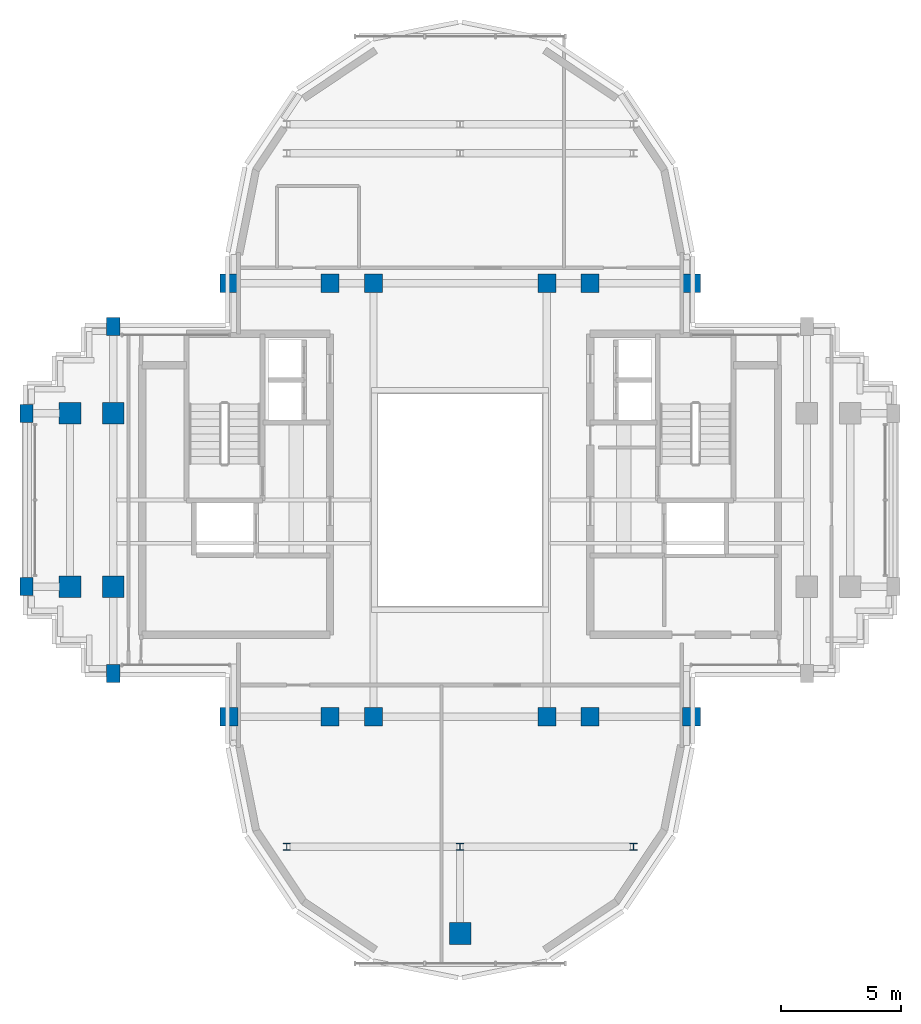
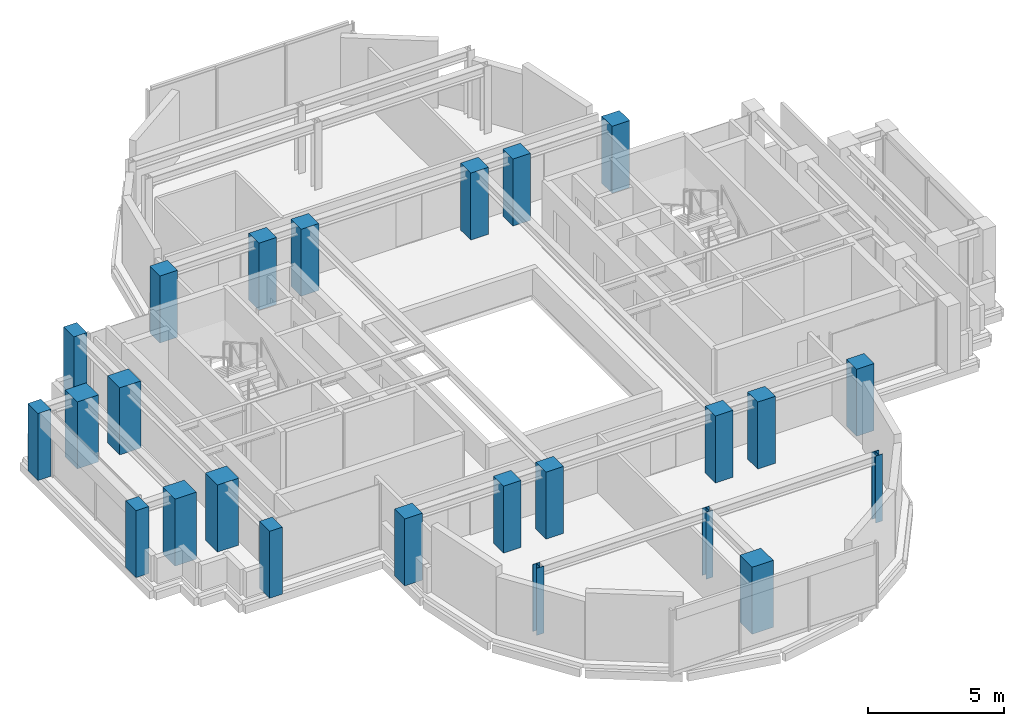
# One storey, part 1 of 12: 24 columns.
"""IFC4 building model written with IfcOpenShell, lengths in metres."""

from ifc_helpers import new_model, si_unit, direction, frame, origin, origin_2d, place, context, subcontext, project, spatial, rectangle, i_section, extrude, source, transform, mapped, material, material_profile, profile_set, type_object, element, save


model = new_model("IFC4")

# Units and contexts
model_context = context("Model", 3, precision=1e-05, world=origin(), true_north=direction((0.0, 1.0)))
body_context = subcontext(model_context, "Body", "Model", "MODEL_VIEW")
ifc_project = project(units=[si_unit("LENGTHUNIT", "METRE"), si_unit("AREAUNIT", "SQUARE_METRE"), si_unit("VOLUMEUNIT", "CUBIC_METRE"), si_unit("PLANEANGLEUNIT", "RADIAN"), si_unit("MASSUNIT", "GRAM", prefix="KILO")], contexts=[model_context])

# Site, building, storey
site_placement = place(None, origin())
site = spatial("IfcSite", under=ifc_project, at=site_placement, CompositionType="ELEMENT")
building_placement = place(site_placement, origin())
building = spatial("IfcBuilding", under=site, at=building_placement, Name="Keilestroom Media Tower", CompositionType="ELEMENT")
storey_placement = place(building_placement, frame((0.0, 0.0, 236.39990234375)))
storey = spatial("IfcBuildingStorey", under=building, at=storey_placement, Name="L65", CompositionType="ELEMENT", Elevation=236.39990234375)

# Columns
ifc_material_1 = material(Name="Precast concrete C40/50", Category="concrete")
ifc_material_profile_1 = material_profile(ifc_material_1, rectangle(XDim=0.550048828125, YDim=0.75, at=origin_2d()), Name="PC 750x550")
ifc_profile_set_1 = profile_set([ifc_material_profile_1], Name="Precast concrete C40/50")
column_type_1 = type_object("IfcColumnType", Name="Structural-Column-PC-750x550", PredefinedType="COLUMN", material=ifc_profile_set_1)
shared_shape_1 = source(origin(), body_context, "Body", "SweptSolid", [
    extrude(rectangle(XDim=0.550048828125, YDim=0.75, at=origin_2d()), origin(), (0.0, 0.0, 1.0), 3.010009765625),
])
for number, where, z_axis, x_axis, name in (
    (1, (-18.0, -3.60009765625, 0.0), (0.0, 0.0, 1.0), (1.0, 0.0, 0.0), "L65 Column PC-3 (-18.0,-3.6)"),
    (2, (-18.0, 3.60009765625, 0.0), (0.0, 0.0, 1.0), (1.0, 0.0, 0.0), "L65 Column PC-3 (-18.0,+3.6)"),
    (3, (-14.39990234375, -7.199951171875, 0.0), (0.0, 0.0, 1.0), (1.0, 0.0, 0.0), "L65 Column PC-3 (-14.4,-7.2)"),
    (4, (-14.39990234375, 7.199951171875, 0.0), (0.0, 0.0, 1.0), (1.0, 0.0, 0.0), "L65 Column PC-3 (-14.4,+7.2)"),
):
    element("IfcColumn", number, at=place(storey_placement, frame(where, z_axis=z_axis, x_axis=x_axis)), inside=storey, type_object=column_type_1, Name=name, PredefinedType="COLUMN", context=body_context, shape_type="MappedRepresentation", body=[
        mapped(shared_shape_1, transform((0.0, 0.0, 0.0), x_axis=(1.0, 0.0, 0.0), y_axis=(0.0, 1.0, 0.0), z_axis=(0.0, 0.0, 1.0), scale=1.0)),
    ])
ifc_material_2 = material(Name="Concrete C55/67", Category="concrete")
ifc_material_profile_2 = material_profile(ifc_material_2, rectangle(XDim=0.89990234375, YDim=0.89990234375, at=origin_2d()), Name="RC 900x900")
ifc_profile_set_2 = profile_set([ifc_material_profile_2], Name="Concrete C55/67")
column_type_2 = type_object("IfcColumnType", Name="Structural-Column-RC-900x900", PredefinedType="COLUMN", material=ifc_profile_set_2)
shared_shape_2 = source(origin(), body_context, "Body", "SweptSolid", [
    extrude(rectangle(XDim=0.89990234375, YDim=0.89990234375, at=origin_2d()), origin(), (0.0, 0.0, 1.0), 3.010009765625),
])
for number, where, z_axis, x_axis, name in (
    (5, (-16.199951171875, -3.60009765625, 0.0), (0.0, 0.0, 1.0), (1.0, 0.0, 0.0), "L65 Column MC-4 (-16.2,-3.6)"),
    (6, (-16.199951171875, 3.60009765625, 0.0), (0.0, 0.0, 1.0), (1.0, 0.0, 0.0), "L65 Column MC-4 (-16.2,+3.6)"),
    (7, (-14.39990234375, -3.60009765625, 0.0), (0.0, 0.0, 1.0), (1.0, 0.0, 0.0), "L65 Column MC-4 (-14.4,-3.6)"),
    (8, (-14.39990234375, 3.60009765625, 0.0), (0.0, 0.0, 1.0), (1.0, 0.0, 0.0), "L65 Column MC-4 (-14.4,+3.6)"),
    (9, (0.0, -18.0, 0.0), (0.0, 0.0, 1.0), (1.0, 0.0, 0.0), "L65 Column MC-4 (+0.0,-18.0)"),
):
    element("IfcColumn", number, at=place(storey_placement, frame(where, z_axis=z_axis, x_axis=x_axis)), inside=storey, type_object=column_type_2, Name=name, PredefinedType="COLUMN", context=body_context, shape_type="MappedRepresentation", body=[
        mapped(shared_shape_2, transform((0.0, 0.0, 0.0), x_axis=(1.0, 0.0, 0.0), y_axis=(0.0, 1.0, 0.0), z_axis=(0.0, 0.0, 1.0), scale=1.0)),
    ])
ifc_material_3 = material(Name="Concrete C50/60", Category="concrete")
ifc_material_profile_3 = material_profile(ifc_material_3, rectangle(XDim=0.75, YDim=0.75, at=origin_2d()), Name="RC 750x750")
ifc_profile_set_3 = profile_set([ifc_material_profile_3], Name="Concrete C50/60")
column_type_3 = type_object("IfcColumnType", Name="Structural-Column-RC-750x750", PredefinedType="COLUMN", material=ifc_profile_set_3)
shared_shape_3 = source(origin(), body_context, "Body", "SweptSolid", [
    extrude(rectangle(XDim=0.75, YDim=0.75, at=origin_2d()), origin(), (0.0, 0.0, 1.0), 3.010009765625),
])
for number, where, z_axis, x_axis, name in (
    (10, (-9.60009765625, -9.0, 0.0), (0.0, 0.0, 1.0), (1.0, 0.0, 0.0), "L65 Column MC-5 (-9.6,-9.0)"),
    (11, (-9.60009765625, 9.0, 0.0), (0.0, 0.0, 1.0), (1.0, 0.0, 0.0), "L65 Column MC-5 (-9.6,+9.0)"),
    (12, (-5.39990234375, -9.0, 0.0), (0.0, 0.0, 1.0), (1.0, 0.0, 0.0), "L65 Column MC-5 (-5.4,-9.0)"),
    (13, (-5.39990234375, 9.0, 0.0), (0.0, 0.0, 1.0), (1.0, 0.0, 0.0), "L65 Column MC-5 (-5.4,+9.0)"),
    (14, (-3.60009765625, -9.0, 0.0), (0.0, 0.0, 1.0), (1.0, 0.0, 0.0), "L65 Column MC-5 (-3.6,-9.0)"),
    (15, (-3.60009765625, 9.0, 0.0), (0.0, 0.0, 1.0), (1.0, 0.0, 0.0), "L65 Column MC-5 (-3.6,+9.0)"),
    (16, (3.60009765625, -9.0, 0.0), (0.0, 0.0, 1.0), (1.0, 0.0, 0.0), "L65 Column MC-5 (+3.6,-9.0)"),
    (17, (3.60009765625, 9.0, 0.0), (0.0, 0.0, 1.0), (1.0, 0.0, 0.0), "L65 Column MC-5 (+3.6,+9.0)"),
    (18, (5.39990234375, -9.0, 0.0), (0.0, 0.0, 1.0), (1.0, 0.0, 0.0), "L65 Column MC-5 (+5.4,-9.0)"),
    (19, (5.39990234375, 9.0, 0.0), (0.0, 0.0, 1.0), (1.0, 0.0, 0.0), "L65 Column MC-5 (+5.4,+9.0)"),
    (20, (9.60009765625, -9.0, 0.0), (0.0, 0.0, 1.0), (1.0, 0.0, 0.0), "L65 Column MC-5 (+9.6,-9.0)"),
    (21, (9.60009765625, 9.0, 0.0), (0.0, 0.0, 1.0), (1.0, 0.0, 0.0), "L65 Column MC-5 (+9.6,+9.0)"),
):
    element("IfcColumn", number, at=place(storey_placement, frame(where, z_axis=z_axis, x_axis=x_axis)), inside=storey, type_object=column_type_3, Name=name, PredefinedType="COLUMN", context=body_context, shape_type="MappedRepresentation", body=[
        mapped(shared_shape_3, transform((0.0, 0.0, 0.0), x_axis=(1.0, 0.0, 0.0), y_axis=(0.0, 1.0, 0.0), z_axis=(0.0, 0.0, 1.0), scale=1.0)),
    ])
ifc_material_4 = material(Name="Steel S355", Category="steel")
ifc_material_profile_4 = material_profile(ifc_material_4, i_section(OverallWidth=0.300048828125, OverallDepth=0.300048828125, WebThickness=0.010986328125, FlangeThickness=0.01904296875, at=origin_2d()), Name="HEB 300")
ifc_profile_set_4 = profile_set([ifc_material_profile_4], Name="Steel S355")
column_type_4 = type_object("IfcColumnType", Name="Structural-Column-HEB-300", PredefinedType="COLUMN", material=ifc_profile_set_4)
shared_shape_4 = source(origin(), body_context, "Body", "SweptSolid", [
    extrude(i_section(OverallWidth=0.300048828125, OverallDepth=0.300048828125, WebThickness=0.010986328125, FlangeThickness=0.01904296875, at=origin_2d()), origin(), (0.0, 0.0, 1.0), 3.010009765625),
])
for number, where, z_axis, x_axis, name in (
    (22, (-7.199951171875, -14.39990234375, 0.0), (0.0, 0.0, 1.0), (1.0, 0.0, 0.0), "L65 Column SC-5 (-7.2,-14.4)"),
    (23, (0.0, -14.39990234375, 0.0), (0.0, 0.0, 1.0), (1.0, 0.0, 0.0), "L65 Column SC-5 (+0.0,-14.4)"),
    (24, (7.199951171875, -14.39990234375, 0.0), (0.0, 0.0, 1.0), (1.0, 0.0, 0.0), "L65 Column SC-5 (+7.2,-14.4)"),
):
    element("IfcColumn", number, at=place(storey_placement, frame(where, z_axis=z_axis, x_axis=x_axis)), inside=storey, type_object=column_type_4, Name=name, PredefinedType="COLUMN", context=body_context, shape_type="MappedRepresentation", body=[
        mapped(shared_shape_4, transform((0.0, 0.0, 0.0), x_axis=(1.0, 0.0, 0.0), y_axis=(0.0, 1.0, 0.0), z_axis=(0.0, 0.0, 1.0), scale=1.0)),
    ])

save(model, "model.ifc")
